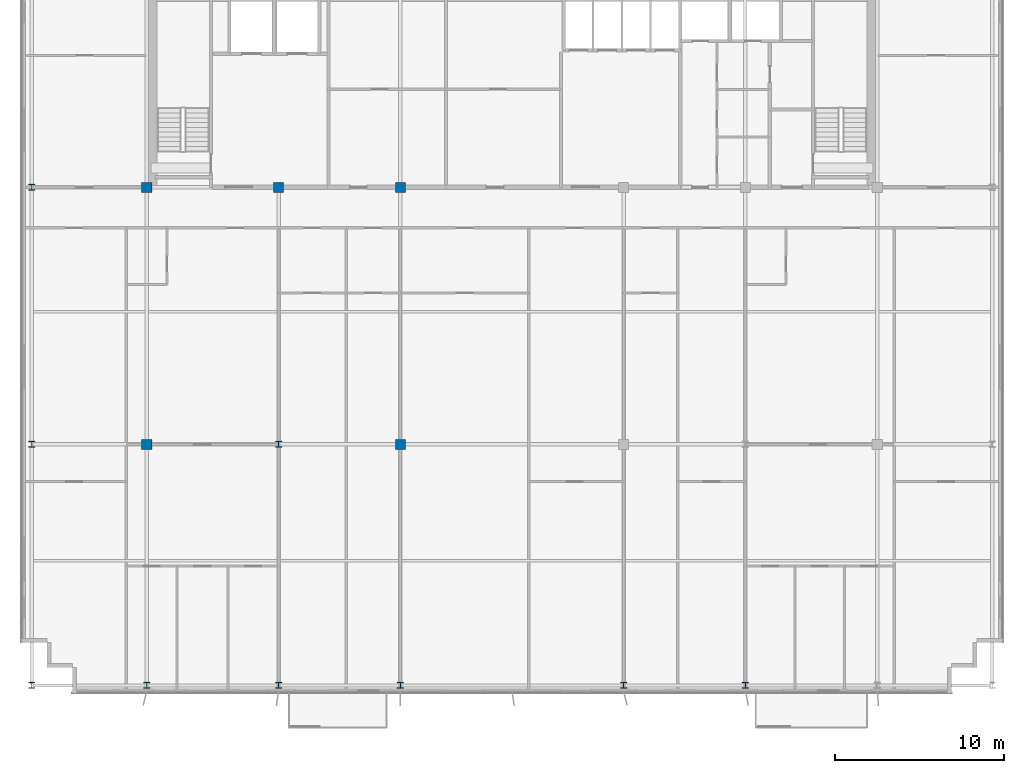
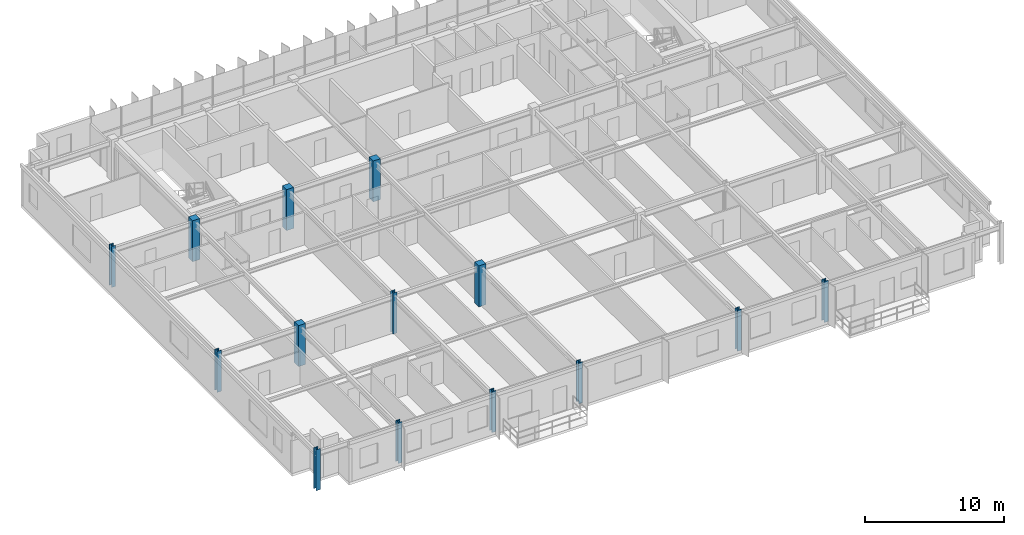
# One storey, part 1 of 22: 14 columns.
"""IFC4 building model written with IfcOpenShell, lengths in metres."""

from ifc_helpers import new_model, si_unit, direction, frame, origin, origin_2d, place, context, subcontext, project, spatial, rectangle, i_section, extrude, source, transform, mapped, material, material_profile, profile_set, type_object, element, save


model = new_model("IFC4")

# Units and contexts
model_context = context("Model", 3, precision=1e-05, world=origin(), true_north=direction((0.0, 1.0)))
body_context = subcontext(model_context, "Body", "Model", "MODEL_VIEW")
ifc_project = project(units=[si_unit("LENGTHUNIT", "METRE"), si_unit("AREAUNIT", "SQUARE_METRE"), si_unit("VOLUMEUNIT", "CUBIC_METRE"), si_unit("PLANEANGLEUNIT", "RADIAN"), si_unit("MASSUNIT", "GRAM", prefix="KILO")], contexts=[model_context])

# Site, building, storey
site_placement = place(None, origin())
site = spatial("IfcSite", under=ifc_project, at=site_placement, CompositionType="ELEMENT")
building_placement = place(site_placement, origin())
building = spatial("IfcBuilding", under=site, at=building_placement, Name="Trelvane Seafront Commons", CompositionType="ELEMENT")
storey_placement = place(building_placement, frame((0.0, 0.0, 284.699951171875)))
storey = spatial("IfcBuildingStorey", under=building, at=storey_placement, Name="L74", CompositionType="ELEMENT", Elevation=284.699951171875)

# Columns
ifc_material_1 = material(Name="Steel SM355 (S355)", Category="steel")
ifc_material_profile_1 = material_profile(ifc_material_1, i_section(OverallWidth=0.35009765625, OverallDepth=0.35009765625, WebThickness=0.01806640625, FlangeThickness=0.028076171875, at=origin_2d()), Name="HD-350x350x18x28")
ifc_profile_set_1 = profile_set([ifc_material_profile_1], Name="Steel SM355 (S355)")
column_type_1 = type_object("IfcColumnType", Name="STR-COL-HD350", PredefinedType="COLUMN", material=ifc_profile_set_1)
shared_shape_1 = source(origin(), body_context, "Body", "SweptSolid", [
    extrude(i_section(OverallWidth=0.35009765625, OverallDepth=0.35009765625, WebThickness=0.01806640625, FlangeThickness=0.028076171875, at=origin_2d()), origin(), (0.0, 0.0, 1.0), 3.60009765625),
])
for number, where, z_axis, x_axis, name in (
    (1, (8.800048828125, 3.949951171875, 0.0), (0.0, 0.0, 1.0), (1.0, 0.0, 0.0), "L74 Column TC-S8.8"),
    (2, (8.800048828125, 18.199951171875, 0.0), (0.0, 0.0, 1.0), (1.0, 0.0, 0.0), "L74 Column TC-M8.8"),
    (3, (8.800048828125, 33.39990234375, 0.0), (0.0, 0.0, 1.0), (1.0, 0.0, 0.0), "L74 Column TC-CS8.8"),
    (4, (15.60009765625, 3.949951171875, 0.0), (0.0, 0.0, 1.0), (1.0, 0.0, 0.0), "L74 Column TC-S15.6"),
    (5, (23.39990234375, 3.949951171875, 0.0), (0.0, 0.0, 1.0), (1.0, 0.0, 0.0), "L74 Column TC-S23.4"),
    (6, (23.39990234375, 18.199951171875, 0.0), (0.0, 0.0, 1.0), (1.0, 0.0, 0.0), "L74 Column TC-M23.4"),
    (7, (30.60009765625, 3.949951171875, 0.0), (0.0, 0.0, 1.0), (1.0, 0.0, 0.0), "L74 Column TC-S30.6"),
    (8, (43.800048828125, 3.949951171875, 0.0), (0.0, 0.0, 1.0), (1.0, 0.0, 0.0), "L74 Column TC-S43.8"),
    (9, (51.0, 3.949951171875, 0.0), (0.0, 0.0, 1.0), (1.0, 0.0, 0.0), "L74 Column TC-S51.0"),
):
    element("IfcColumn", number, at=place(storey_placement, frame(where, z_axis=z_axis, x_axis=x_axis)), inside=storey, type_object=column_type_1, Name=name, PredefinedType="COLUMN", context=body_context, shape_type="MappedRepresentation", body=[
        mapped(shared_shape_1, transform((0.0, 0.0, 0.0), x_axis=(1.0, 0.0, 0.0), y_axis=(0.0, 1.0, 0.0), z_axis=(0.0, 0.0, 1.0), scale=1.0)),
    ])
ifc_material_2 = material(Name="Concrete C50/60", Category="concrete")
ifc_material_profile_2 = material_profile(ifc_material_2, rectangle(XDim=0.60009765625, YDim=0.60009765625, at=origin_2d()), Name="RC-600x600")
ifc_profile_set_2 = profile_set([ifc_material_profile_2], Name="Concrete C50/60")
column_type_2 = type_object("IfcColumnType", Name="STR-COL-RC600", PredefinedType="COLUMN", material=ifc_profile_set_2)
shared_shape_2 = source(origin(), body_context, "Body", "SweptSolid", [
    extrude(rectangle(XDim=0.60009765625, YDim=0.60009765625, at=origin_2d()), origin(), (0.0, 0.0, 1.0), 3.60009765625),
])
for number, where, z_axis, x_axis, name in (
    (10, (15.60009765625, 18.199951171875, 0.0), (0.0, 0.0, 1.0), (1.0, 0.0, 0.0), "L74 Column TC-M15.6"),
    (11, (15.60009765625, 33.39990234375, 0.0), (0.0, 0.0, 1.0), (1.0, 0.0, 0.0), "L74 Column TC-CS15.6"),
    (12, (23.39990234375, 33.39990234375, 0.0), (0.0, 0.0, 1.0), (1.0, 0.0, 0.0), "L74 Column TC-CS23.4"),
    (13, (30.60009765625, 18.199951171875, 0.0), (0.0, 0.0, 1.0), (1.0, 0.0, 0.0), "L74 Column TC-M30.6"),
    (14, (30.60009765625, 33.39990234375, 0.0), (0.0, 0.0, 1.0), (1.0, 0.0, 0.0), "L74 Column TC-CS30.6"),
):
    element("IfcColumn", number, at=place(storey_placement, frame(where, z_axis=z_axis, x_axis=x_axis)), inside=storey, type_object=column_type_2, Name=name, PredefinedType="COLUMN", context=body_context, shape_type="MappedRepresentation", body=[
        mapped(shared_shape_2, transform((0.0, 0.0, 0.0), x_axis=(1.0, 0.0, 0.0), y_axis=(0.0, 1.0, 0.0), z_axis=(0.0, 0.0, 1.0), scale=1.0)),
    ])

save(model, "model.ifc")
